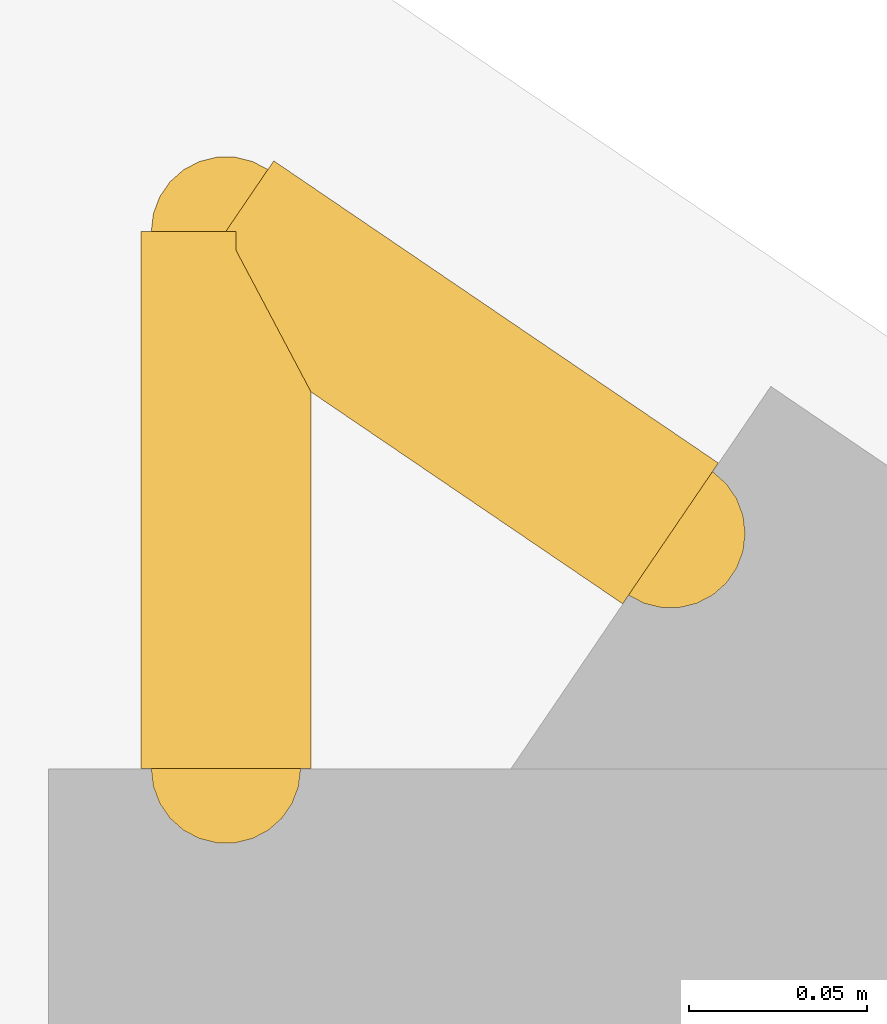
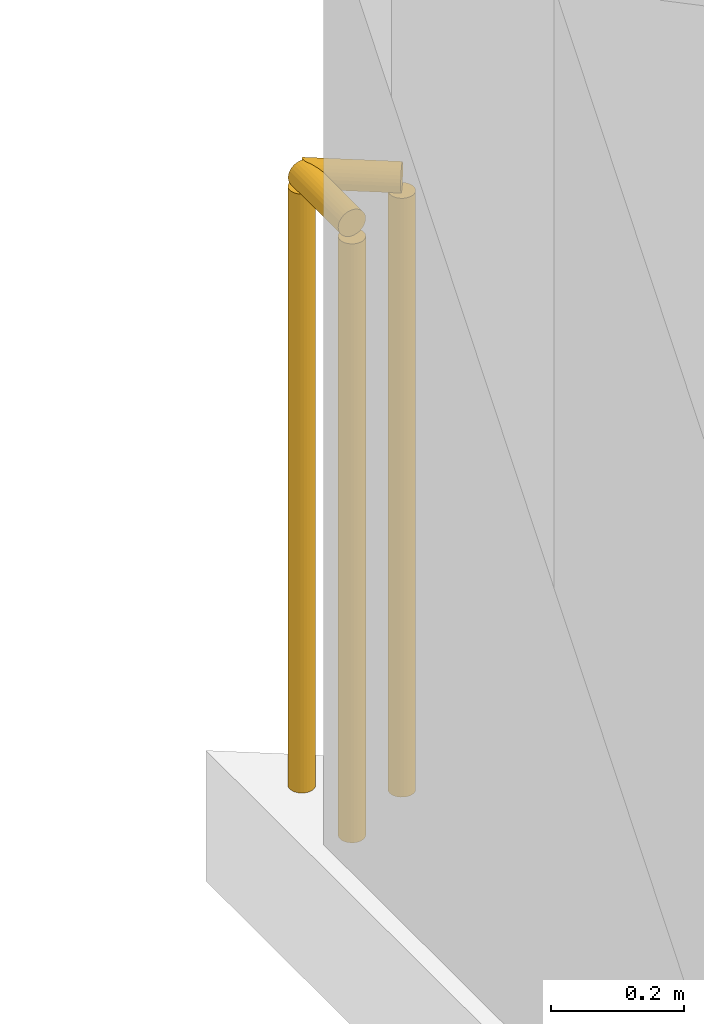
# One storey, part 20 of 21: 2 railings.
"""IFC4 building model written with IfcOpenShell, lengths in metres."""

from ifc_helpers import new_model, si_unit, direction, frame, origin, origin_2d, place, context, subcontext, project, spatial, circle, extrude, material, type_object, element, save


model = new_model("IFC4")

# Units and contexts
model_context = context("Model", 3, precision=1e-05, world=origin(), true_north=direction((0.0, 1.0)))
body_context = subcontext(model_context, "Body", "Model", "MODEL_VIEW")
ifc_project = project(units=[si_unit("LENGTHUNIT", "METRE"), si_unit("AREAUNIT", "SQUARE_METRE"), si_unit("VOLUMEUNIT", "CUBIC_METRE"), si_unit("PLANEANGLEUNIT", "RADIAN"), si_unit("MASSUNIT", "GRAM", prefix="KILO")], contexts=[model_context])

# Site, building, storey
site_placement = place(None, origin())
site = spatial("IfcSite", under=ifc_project, at=site_placement, CompositionType="ELEMENT")
building_placement = place(site_placement, origin())
building = spatial("IfcBuilding", under=site, at=building_placement, Name="Varnakote Quay Hospital", CompositionType="ELEMENT")
storey_placement = place(building_placement, frame((0.0, 0.0, 77.800048828125)))
storey = spatial("IfcBuildingStorey", under=building, at=storey_placement, Name="L19", CompositionType="ELEMENT", Elevation=77.800048828125)

# Railings
ifc_material = material(Name="Anodised aluminium 6063-T6 Bronze", Category="aluminium")
railing_type = type_object("IfcRailingType", Name="RLG-EXT-GUARD-1150", PredefinedType="GUARDRAIL", material=ifc_material)
railing_1_placement = place(storey_placement, frame((2.679931640625, 43.497802734375, 0.0)))
element("IfcRailing", 1, at=railing_1_placement, inside=storey, type_object=railing_type, Name="L19 Slab Edge Perimeter Safety Guard", PredefinedType="GUARDRAIL", context=body_context, shape_type="SweptSolid", body=[
    extrude(circle(Radius=0.02392578125, at=origin_2d()), frame((0.0, 0.0, 1.1259765625), z_axis=(0.0, 1.0, 0.0), x_axis=(-1.0, 0.0, 0.0)), (0.0, 0.0, 1.0), 0.151123046875),
    extrude(circle(Radius=0.02099609375, at=origin_2d()), origin(), (0.0, 0.0, 1.0), 1.101806640625),
    extrude(circle(Radius=0.02099609375, at=origin_2d()), frame((0.0, 0.151123046875, 0.0)), (0.0, 0.0, 1.0), 1.101806640625),
])
railing_2_placement = place(storey_placement, frame((2.679931640625, 43.64892578125, 0.0)))
element("IfcRailing", 2, at=railing_2_placement, inside=storey, type_object=railing_type, Name="L19 Slab Edge Perimeter Safety Guard", PredefinedType="GUARDRAIL", context=body_context, shape_type="SweptSolid", body=[
    extrude(circle(Radius=0.02392578125, at=origin_2d()), frame((0.0, 0.0, 1.1259765625), z_axis=(0.827046660574, -0.562133277109, 0.0), x_axis=(0.562133277109, 0.827046660574, 0.0)), (0.0, 0.0, 1.0), 0.151123046875),
    extrude(circle(Radius=0.02099609375, at=origin_2d()), origin(), (0.0, 0.0, 1.0), 1.101806640625),
    extrude(circle(Radius=0.02099609375, at=origin_2d()), frame((0.125, -0.0849609375, 0.0)), (0.0, 0.0, 1.0), 1.101806640625),
])

save(model, "model.ifc")
